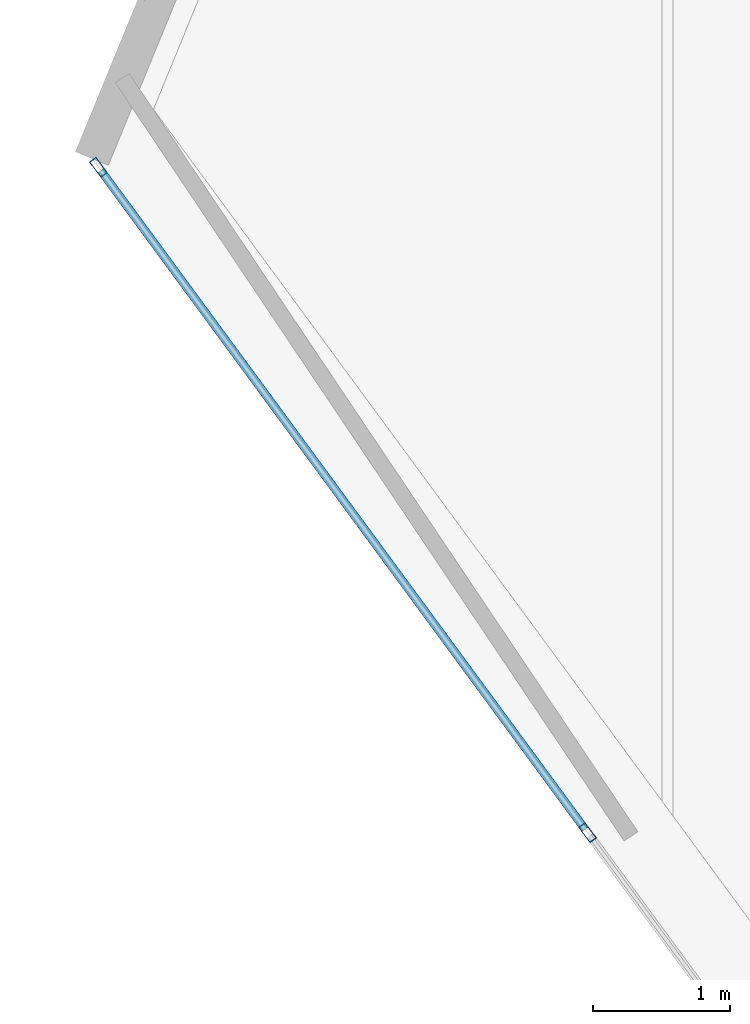
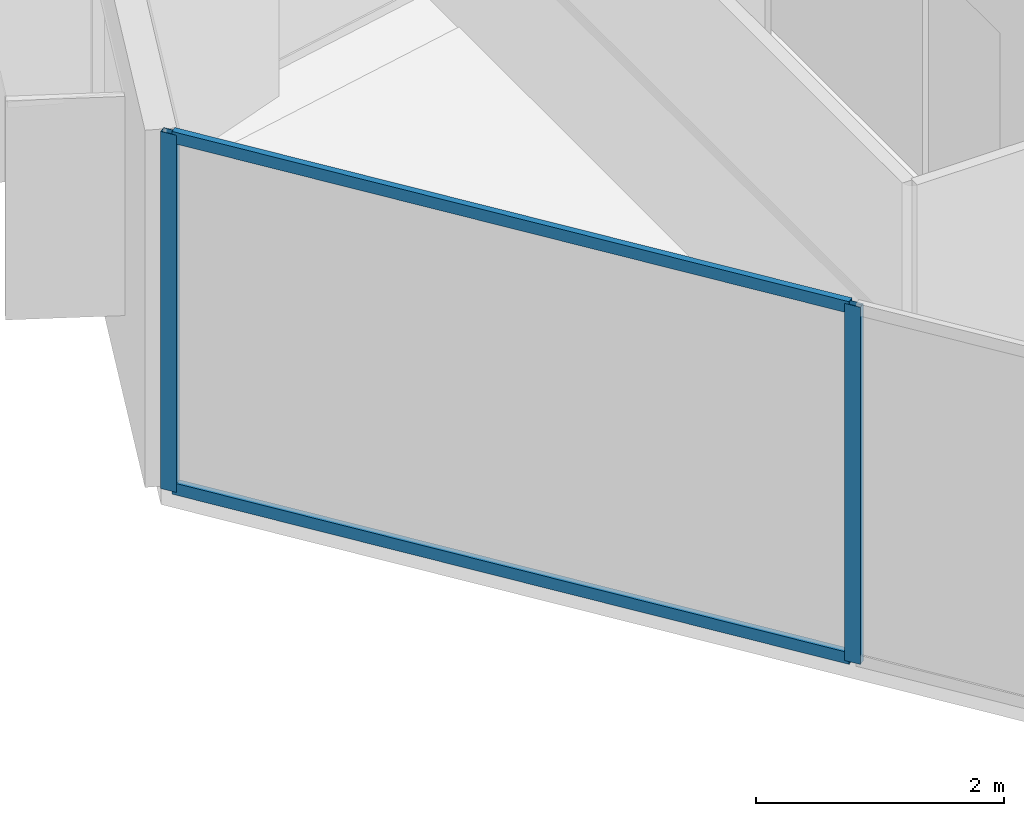
# One storey, part 6 of 21: 4 members, 1 element without a shape of its own.
"""IFC4 building model written with IfcOpenShell, lengths in metres."""

from ifc_helpers import new_model, si_unit, direction, frame, origin, origin_2d, place, context, subcontext, project, spatial, hollow_rectangle, extrude, material, layer, layer_set, material_profile, profile_set, type_object, element, aggregate, save


model = new_model("IFC4")

# Units and contexts
model_context = context("Model", 3, precision=1e-05, world=origin(), true_north=direction((0.0, 1.0)))
body_context = subcontext(model_context, "Body", "Model", "MODEL_VIEW")
ifc_project = project(units=[si_unit("LENGTHUNIT", "METRE"), si_unit("AREAUNIT", "SQUARE_METRE"), si_unit("VOLUMEUNIT", "CUBIC_METRE"), si_unit("PLANEANGLEUNIT", "RADIAN"), si_unit("MASSUNIT", "GRAM", prefix="KILO")], contexts=[model_context])

# Site, building, storey
site_placement = place(None, origin())
site = spatial("IfcSite", under=ifc_project, at=site_placement, CompositionType="ELEMENT")
building_placement = place(site_placement, origin())
building = spatial("IfcBuilding", under=site, at=building_placement, Name="Qianvela Tower", CompositionType="ELEMENT")
storey_placement = place(building_placement, frame((0.0, 0.0, 302.800048828125)))
storey = spatial("IfcBuildingStorey", under=building, at=storey_placement, Name="L78", CompositionType="ELEMENT", Elevation=302.800048828125)

# Curtain wall, members
ifc_material_1 = material(Name="Anodised Architectural Aluminium and Low-E Glass", Category="aluminium")
ifc_layer = layer(ifc_material_1, 0.14990234375)
ifc_layer_set = layer_set([ifc_layer], Name="Anodised Architectural Aluminium and Low-E Glass")
curtain_wall_type = type_object("IfcCurtainWallType", Name="CW-COLIV-Z78", PredefinedType="USERDEFINED", material=ifc_layer_set)
curtain_wall_placement = place(storey_placement, origin())
curtain_wall = element("IfcCurtainWall", 1, at=curtain_wall_placement, inside=storey, type_object=curtain_wall_type, Name="L78 CW-COLIV-Z78 Curtain Wall 04A", ObjectType="CURTAIN_WALL_SYSTEM", PredefinedType="USERDEFINED")
ifc_material_2 = material(Name="Anodised Architectural Aluminium 6063-T6", Category="aluminium")
ifc_material_profile_1 = material_profile(ifc_material_2, hollow_rectangle(XDim=0.06005859375, YDim=0.139892578125, WallThickness=0.00439453125, at=origin_2d()), Name="ALU-MULL-60x140")
ifc_profile_set_1 = profile_set([ifc_material_profile_1], Name="Anodised Architectural Aluminium 6063-T6")
member_type_1 = type_object("IfcMemberType", Name="CW-COLIV-Z78-MULL", PredefinedType="MULLION", material=ifc_profile_set_1)
member_1_placement = place(storey_placement, frame((18.165283203125, 28.94580078125, 0.0), z_axis=(0.0, 0.0, 1.0), x_axis=(0.805720613535, 0.592295781621, 0.0)))
member_1 = element("IfcMember", 2, at=member_1_placement, type_object=member_type_1, Name="CW-6 mullion 1", PredefinedType="MULLION", context=body_context, shape_type="SweptSolid", body=[
    extrude(hollow_rectangle(XDim=0.06005859375, YDim=0.139892578125, WallThickness=0.00439453125, at=origin_2d()), origin(), (0.0, 0.0, 1.0), 3.52001953125),
])
member_2_placement = place(storey_placement, frame((21.73681640625, 24.08740234375, 0.0), z_axis=(0.0, 0.0, 1.0), x_axis=(0.805720613535, 0.592295781621, 0.0)))
member_2 = element("IfcMember", 3, at=member_2_placement, type_object=member_type_1, Name="CW-6 mullion 2", PredefinedType="MULLION", context=body_context, shape_type="SweptSolid", body=[
    extrude(hollow_rectangle(XDim=0.06005859375, YDim=0.139892578125, WallThickness=0.00439453125, at=origin_2d()), origin(), (0.0, 0.0, 1.0), 3.52001953125),
])
ifc_material_3 = material(Name="Anodised Architectural Aluminium 6063-T6", Category="aluminium")
ifc_material_profile_2 = material_profile(ifc_material_3, hollow_rectangle(XDim=0.06005859375, YDim=0.114990234375, WallThickness=0.00390625, at=origin_2d()), Name="ALU-TRAN-60x115")
ifc_profile_set_2 = profile_set([ifc_material_profile_2], Name="Anodised Architectural Aluminium 6063-T6")
member_type_2 = type_object("IfcMemberType", Name="CW-COLIV-Z78-TRAN", PredefinedType="USERDEFINED", material=ifc_profile_set_2)
member_3_placement = place(storey_placement, frame((18.182861328125, 28.921630859375, 0.030029296875), z_axis=(0.592317062804, -0.805704969025, 0.0), x_axis=(0.805704969025, 0.592317062804, 0.0)))
member_3 = element("IfcMember", 4, at=member_3_placement, type_object=member_type_2, Name="CW-6 transom 1.1", ObjectType="TRANSOM", PredefinedType="USERDEFINED", context=body_context, shape_type="SweptSolid", body=[
    extrude(hollow_rectangle(XDim=0.06005859375, YDim=0.114990234375, WallThickness=0.00390625, at=origin_2d()), origin(), (0.0, 0.0, 1.0), 5.969970703125),
])
member_4_placement = place(storey_placement, frame((18.182861328125, 28.921630859375, 3.489990234375), z_axis=(0.592317062804, -0.805704969025, 0.0), x_axis=(0.805704969025, 0.592317062804, 0.0)))
member_4 = element("IfcMember", 5, at=member_4_placement, type_object=member_type_2, Name="CW-6 transom 1.2", ObjectType="TRANSOM", PredefinedType="USERDEFINED", context=body_context, shape_type="SweptSolid", body=[
    extrude(hollow_rectangle(XDim=0.06005859375, YDim=0.114990234375, WallThickness=0.00390625, at=origin_2d()), origin(), (0.0, 0.0, 1.0), 5.969970703125),
])
aggregate(curtain_wall, [member_1, member_2, member_3, member_4])

save(model, "model.ifc")
